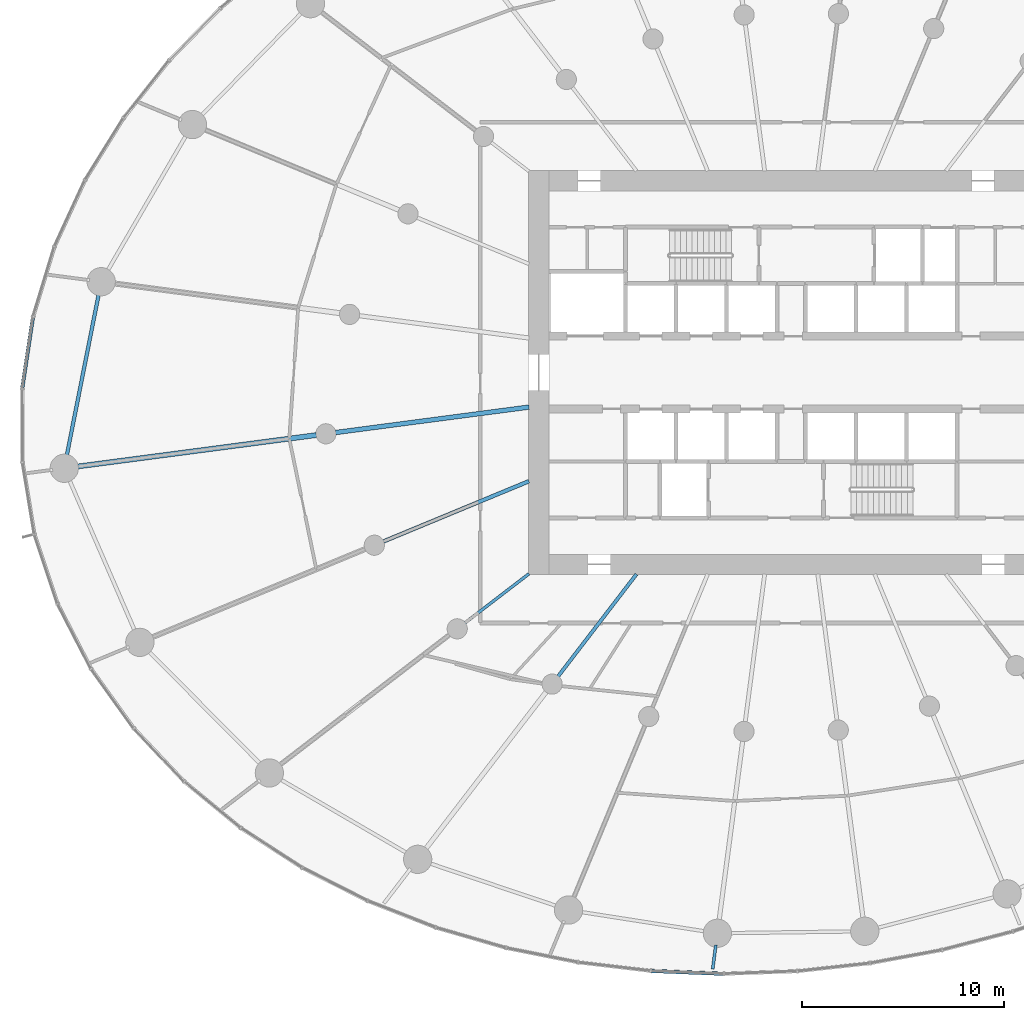
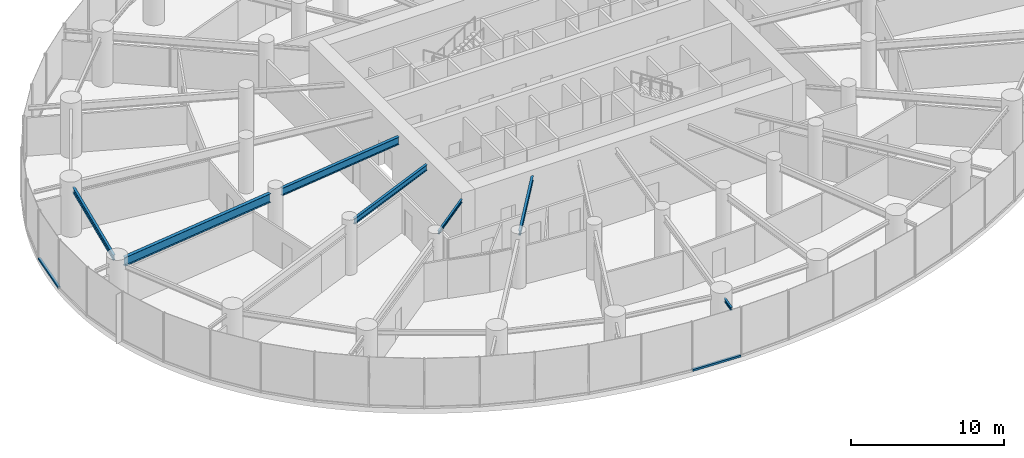
# One storey, part 3 of 19: 7 beams, 2 members, 2 elements without a shape of their own.
"""IFC4 building model written with IfcOpenShell, lengths in metres."""

from ifc_helpers import new_model, si_unit, direction, frame, origin, origin_2d, place, context, subcontext, project, spatial, rectangle, i_section, extrude, source, transform, mapped, material, layer, layer_set, material_profile, profile_set, type_object, element, aggregate, save


model = new_model("IFC4")

# Units and contexts
model_context = context("Model", 3, precision=1e-05, world=origin(), true_north=direction((0.0, 1.0)))
body_context = subcontext(model_context, "Body", "Model", "MODEL_VIEW")
ifc_project = project(units=[si_unit("LENGTHUNIT", "METRE"), si_unit("AREAUNIT", "SQUARE_METRE"), si_unit("VOLUMEUNIT", "CUBIC_METRE"), si_unit("PLANEANGLEUNIT", "RADIAN"), si_unit("MASSUNIT", "GRAM", prefix="KILO")], contexts=[model_context])

# Site, building, storey
site_placement = place(None, origin())
site = spatial("IfcSite", under=ifc_project, at=site_placement, CompositionType="ELEMENT")
building_placement = place(site_placement, origin())
building = spatial("IfcBuilding", under=site, at=building_placement, Name="Spindrift Exchange Tower", CompositionType="ELEMENT")
storey_placement = place(building_placement, frame((0.0, 0.0, 44.60009765625)))
storey = spatial("IfcBuildingStorey", under=building, at=storey_placement, Name="L10", CompositionType="ELEMENT", Elevation=44.60009765625)

# Beams
ifc_material_1 = material(Name="Steel Grade 300", Category="steel")
ifc_material_profile_1 = material_profile(ifc_material_1, i_section(OverallWidth=0.22802734375, OverallDepth=0.60693359375, WebThickness=0.01123046875, FlangeThickness=0.017333984375, FilletRadius=0.013916015625, at=origin_2d()), Name="610UB113")
ifc_profile_set_1 = profile_set([ifc_material_profile_1], Name="Steel Grade 300")
beam_type_1 = type_object("IfcBeamType", Name="Floor Beam 610UB113 Steel Grade 300", PredefinedType="BEAM", material=ifc_profile_set_1)
shared_shape_1 = source(origin(), body_context, "Body", "SweptSolid", [
    extrude(i_section(OverallWidth=0.22802734375, OverallDepth=0.60693359375, WebThickness=0.01123046875, FlangeThickness=0.017333984375, FilletRadius=0.013916015625, at=origin_2d()), origin(), (0.0, 0.0, 1.0), 9.660400390625),
])
beam_1_placement = place(storey_placement, frame((39.019775390625, 46.291015625, 3.646484375), z_axis=(-0.99144767089, -0.130504850054, 0.0), x_axis=(0.130504850054, -0.99144767089, 0.0)))
element("IfcBeam", 1, at=beam_1_placement, inside=storey, type_object=beam_type_1, Name="L10 radial beam R13A", PredefinedType="BEAM", context=body_context, shape_type="MappedRepresentation", body=[
    mapped(shared_shape_1, transform((0.0, 0.0, 0.0), scale=1.0)),
])
ifc_material_profile_2 = material_profile(ifc_material_1, i_section(OverallWidth=0.25, OverallDepth=0.699951171875, WebThickness=0.008056640625, FlangeThickness=0.011962890625, at=origin_2d()), Name="700WB115")
ifc_profile_set_2 = profile_set([ifc_material_profile_2], Name="Steel Grade 300")
beam_type_2 = type_object("IfcBeamType", Name="Floor Beam 700WB115 Steel Grade 300", PredefinedType="BEAM", material=ifc_profile_set_2)
shared_shape_2 = source(origin(), body_context, "Body", "SweptSolid", [
    extrude(i_section(OverallWidth=0.25, OverallDepth=0.699951171875, WebThickness=0.008056640625, FlangeThickness=0.011962890625, at=origin_2d()), origin(), (0.0, 0.0, 1.0), 12.00830078125),
])
beam_2_placement = place(storey_placement, frame((28.490234375, 44.90478515625, 3.599853515625), z_axis=(-0.991444950947, -0.130525511844, 0.0), x_axis=(0.130525511844, -0.991444950947, 0.0)))
element("IfcBeam", 2, at=beam_2_placement, inside=storey, type_object=beam_type_2, Name="L10 radial beam R13B", PredefinedType="BEAM", context=body_context, shape_type="MappedRepresentation", body=[
    mapped(shared_shape_2, transform((0.0, 0.0, 0.0), scale=1.0)),
])
ifc_material_profile_3 = material_profile(ifc_material_1, i_section(OverallWidth=0.18994140625, OverallDepth=0.45703125, WebThickness=0.009033203125, FlangeThickness=0.014404296875, FilletRadius=0.013916015625, at=origin_2d()), Name="460UB74.6")
ifc_profile_set_3 = profile_set([ifc_material_profile_3], Name="Steel Grade 300")
beam_type_3 = type_object("IfcBeamType", Name="Floor Beam 460UB74.6 Steel Grade 300", PredefinedType="BEAM", material=ifc_profile_set_3)
shared_shape_3 = source(origin(), body_context, "Body", "SweptSolid", [
    extrude(i_section(OverallWidth=0.18994140625, OverallDepth=0.45703125, WebThickness=0.009033203125, FlangeThickness=0.014404296875, FilletRadius=0.013916015625, at=origin_2d()), origin(), (0.0, 0.0, 1.0), 7.808837890625),
])
beam_3_placement = place(storey_placement, frame((39.0185546875, 42.622802734375, 3.721435546875), z_axis=(-0.92387965154, -0.382683145003, 0.0), x_axis=(0.382683145003, -0.92387965154, 0.0)))
element("IfcBeam", 3, at=beam_3_placement, inside=storey, type_object=beam_type_3, Name="L10 radial beam R14A", PredefinedType="BEAM", context=body_context, shape_type="MappedRepresentation", body=[
    mapped(shared_shape_3, transform((0.0, 0.0, 0.0), scale=1.0)),
])
ifc_material_profile_4 = material_profile(ifc_material_1, i_section(OverallWidth=0.14599609375, OverallDepth=0.251953125, WebThickness=0.006103515625, FlangeThickness=0.008544921875, FilletRadius=0.011962890625, at=origin_2d()), Name="250UB31.4")
ifc_profile_set_4 = profile_set([ifc_material_profile_4], Name="Steel Grade 300")
beam_type_4 = type_object("IfcBeamType", Name="Floor Beam 250UB31.4 Steel Grade 300", PredefinedType="BEAM", material=ifc_profile_set_4)
shared_shape_4 = source(origin(), body_context, "Body", "SweptSolid", [
    extrude(i_section(OverallWidth=0.14599609375, OverallDepth=0.251953125, WebThickness=0.006103515625, FlangeThickness=0.008544921875, FilletRadius=0.011962890625, at=origin_2d()), origin(), (0.0, 0.0, 1.0), 3.99560546875),
])
beam_4_placement = place(storey_placement, frame((39.015869140625, 38.036865234375, 3.823974609375), z_axis=(-0.793352561574, -0.608762443851, 0.0), x_axis=(0.608762443851, -0.793352561574, 0.0)))
element("IfcBeam", 4, at=beam_4_placement, inside=storey, type_object=beam_type_4, Name="L10 radial beam R15A", PredefinedType="BEAM", context=body_context, shape_type="MappedRepresentation", body=[
    mapped(shared_shape_4, transform((0.0, 0.0, 0.0), scale=1.0)),
])
ifc_material_profile_5 = material_profile(ifc_material_1, i_section(OverallWidth=0.172119140625, OverallDepth=0.35888671875, WebThickness=0.008056640625, FlangeThickness=0.012939453125, FilletRadius=0.013916015625, at=origin_2d()), Name="360UB56.7")
ifc_profile_set_5 = profile_set([ifc_material_profile_5], Name="Steel Grade 300")
beam_type_5 = type_object("IfcBeamType", Name="Floor Beam 360UB56.7 Steel Grade 300", PredefinedType="BEAM", material=ifc_profile_set_5)
shared_shape_5 = source(origin(), body_context, "Body", "SweptSolid", [
    extrude(i_section(OverallWidth=0.172119140625, OverallDepth=0.35888671875, WebThickness=0.008056640625, FlangeThickness=0.012939453125, FilletRadius=0.013916015625, at=origin_2d()), origin(), (0.0, 0.0, 1.0), 6.37646484375),
])
beam_5_placement = place(storey_placement, frame((44.3388671875, 38.015869140625, 3.7705078125), z_axis=(-0.608766669952, -0.793349318747, 0.0), x_axis=(0.793349318747, -0.608766669952, 0.0)))
element("IfcBeam", 5, at=beam_5_placement, inside=storey, type_object=beam_type_5, Name="L10 radial beam R16A", PredefinedType="BEAM", context=body_context, shape_type="MappedRepresentation", body=[
    mapped(shared_shape_5, transform((0.0, 0.0, 0.0), scale=1.0)),
])
ifc_material_profile_6 = material_profile(ifc_material_1, i_section(OverallWidth=0.177978515625, OverallDepth=0.406005859375, WebThickness=0.0078125, FlangeThickness=0.0126953125, FilletRadius=0.013916015625, at=origin_2d()), Name="410UB59.7")
ifc_profile_set_6 = profile_set([ifc_material_profile_6], Name="Steel Grade 300")
beam_type_6 = type_object("IfcBeamType", Name="Edge Beam 410UB59.7 Steel Grade 300", PredefinedType="SPANDREL", material=ifc_profile_set_6)
shared_shape_6 = source(origin(), body_context, "Body", "SweptSolid", [
    extrude(i_section(OverallWidth=0.177978515625, OverallDepth=0.406005859375, WebThickness=0.0078125, FlangeThickness=0.0126953125, FilletRadius=0.013916015625, at=origin_2d()), origin(), (0.0, 0.0, 1.0), 8.2548828125),
])
beam_6_placement = place(storey_placement, frame((17.72607421875, 51.928466796875, 3.746826171875), z_axis=(-0.194278723288, -0.9809463684, 0.0), x_axis=(0.9809463684, -0.194278723288, 0.0)))
element("IfcBeam", 6, at=beam_6_placement, inside=storey, type_object=beam_type_6, Name="L10 edge beam E12", PredefinedType="SPANDREL", context=body_context, shape_type="MappedRepresentation", body=[
    mapped(shared_shape_6, transform((0.0, 0.0, 0.0), scale=1.0)),
])
ifc_material_profile_7 = material_profile(ifc_material_1, i_section(OverallWidth=0.14599609375, OverallDepth=0.251953125, WebThickness=0.006103515625, FlangeThickness=0.008544921875, FilletRadius=0.011962890625, at=origin_2d()), Name="250UB31.4")
ifc_profile_set_7 = profile_set([ifc_material_profile_7], Name="Steel Grade 300")
beam_type_7 = type_object("IfcBeamType", Name="Cantilever Beam 250UB31.4 Steel Grade 300", PredefinedType="BEAM", material=ifc_profile_set_7)
shared_shape_7 = source(origin(), body_context, "Body", "SweptSolid", [
    extrude(i_section(OverallWidth=0.14599609375, OverallDepth=0.251953125, WebThickness=0.006103515625, FlangeThickness=0.008544921875, FilletRadius=0.011962890625, at=origin_2d()), origin(), (0.0, 0.0, 1.0), 1.208740234375),
])
beam_7_placement = place(storey_placement, frame((48.269287109375, 19.66357421875, 3.823974609375), z_axis=(-0.130271649793, -0.991478339279, 0.0), x_axis=(0.991478339279, -0.130271649793, 0.0)))
element("IfcBeam", 7, at=beam_7_placement, inside=storey, type_object=beam_type_7, Name="L10 cantilever beam R18T", PredefinedType="BEAM", context=body_context, shape_type="MappedRepresentation", body=[
    mapped(shared_shape_7, transform((0.0, 0.0, 0.0), scale=1.0)),
])

# Curtain wall, member
ifc_material_2 = material(Name="Fritted laminated glass with bronze frame", Category="glass")
ifc_layer = layer(ifc_material_2, 0.199951171875)
ifc_layer_set = layer_set([ifc_layer], Name="ZONE 1 BRONZE FRITTED WALL")
curtain_wall_type = type_object("IfcCurtainWallType", Name="ZONE 1 BRONZE FRITTED WALL", PredefinedType="NOTDEFINED", material=ifc_layer_set)
curtain_wall_1_placement = place(storey_placement, origin())
curtain_wall_1 = element("IfcCurtainWall", 8, at=curtain_wall_1_placement, inside=storey, type_object=curtain_wall_type, Name="L10 Zone 1 Bronze Fritted Wall run 7", PredefinedType="NOTDEFINED")
ifc_material_3 = material(Name="Bronze anodised aluminium", Category="aluminium")
ifc_material_profile_8 = material_profile(ifc_material_3, rectangle(XDim=0.179931640625, YDim=0.14990234375, at=origin_2d()), Name="ZONE 1 BRONZE FRITTED WALL TRANSOM 180X150")
ifc_profile_set_8 = profile_set([ifc_material_profile_8], Name="Bronze anodised aluminium")
member_type = type_object("IfcMemberType", Name="ZONE 1 BRONZE FRITTED WALL TRANSOM 180X150", PredefinedType="USERDEFINED", material=ifc_profile_set_8)
shared_shape_8 = source(origin(), body_context, "Body", "SweptSolid", [
    extrude(rectangle(XDim=0.179931640625, YDim=0.14990234375, at=origin_2d()), origin(), (0.0, 0.0, 1.0), 3.54736328125),
])
member_1_placement = place(storey_placement, frame((45.087646484375, 18.3740234375, 0.074951171875), z_axis=(0.999213987804, -0.039640970933, 0.0), x_axis=(0.039640970933, 0.999213987804, 0.0)))
member_1 = element("IfcMember", 9, at=member_1_placement, type_object=member_type, Name="L10 transom CW-1.42", ObjectType="TRANSOM", PredefinedType="USERDEFINED", context=body_context, shape_type="MappedRepresentation", body=[
    mapped(shared_shape_8, transform((0.0, 0.0, 0.0), scale=1.0)),
])
aggregate(curtain_wall_1, [member_1])

curtain_wall_2_placement = place(storey_placement, origin())
curtain_wall_2 = element("IfcCurtainWall", 10, at=curtain_wall_2_placement, inside=storey, type_object=curtain_wall_type, Name="L10 Zone 1 Bronze Fritted Wall run 5", PredefinedType="NOTDEFINED")
shared_shape_9 = source(origin(), body_context, "Body", "SweptSolid", [
    extrude(rectangle(XDim=0.179931640625, YDim=0.14990234375, at=origin_2d()), origin(), (0.0, 0.0, 1.0), 3.544677734375),
])
member_2_placement = place(storey_placement, frame((14.45556640625, 50.7294921875, 0.074951171875), z_axis=(-0.149111659052, -0.988820364442, 0.0), x_axis=(0.988820364442, -0.149111659052, 0.0)))
member_2 = element("IfcMember", 11, at=member_2_placement, type_object=member_type, Name="L10 transom CW-1.28", ObjectType="TRANSOM", PredefinedType="USERDEFINED", context=body_context, shape_type="MappedRepresentation", body=[
    mapped(shared_shape_9, transform((0.0, 0.0, 0.0), scale=1.0)),
])
aggregate(curtain_wall_2, [member_2])

save(model, "model.ifc")
